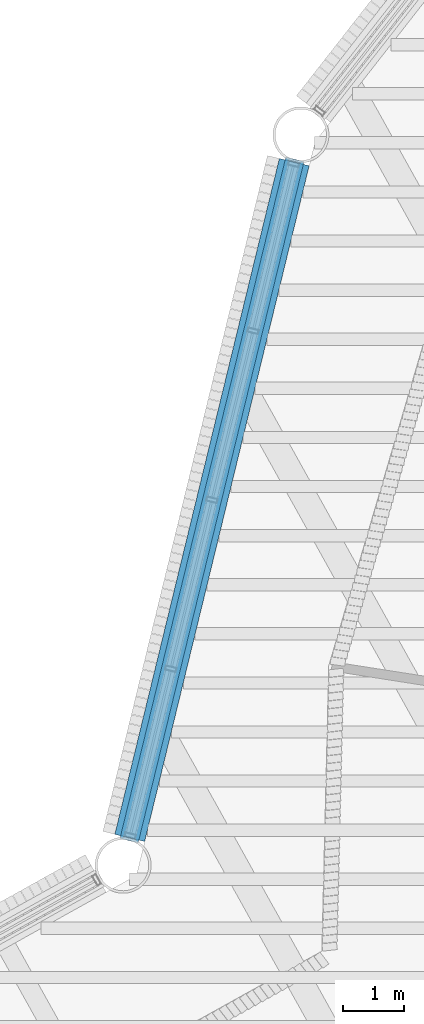
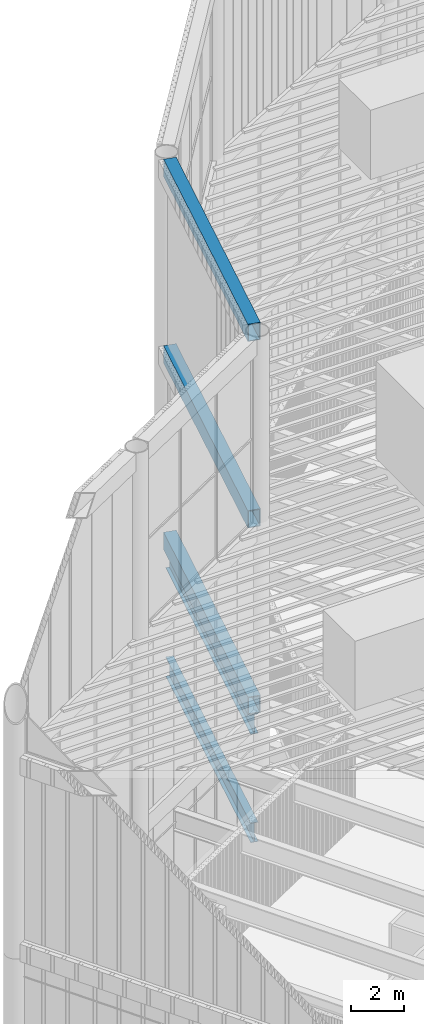
# One storey, part 40 of 117: 5 beams.
"""IFC4 building model written with IfcOpenShell, lengths in metres."""

from ifc_helpers import new_model, si_unit, direction, frame, origin, origin_2d, place, context, subcontext, project, spatial, hollow_rectangle, i_section, extrude, material, material_profile, profile_set, type_object, element, save


model = new_model("IFC4")

# Units and contexts
model_context = context("Model", 3, precision=1e-05, world=origin(), true_north=direction((0.0, 1.0)))
body_context = subcontext(model_context, "Body", "Model", "MODEL_VIEW")
ifc_project = project(units=[si_unit("LENGTHUNIT", "METRE"), si_unit("AREAUNIT", "SQUARE_METRE"), si_unit("VOLUMEUNIT", "CUBIC_METRE"), si_unit("PLANEANGLEUNIT", "RADIAN"), si_unit("MASSUNIT", "GRAM", prefix="KILO")], contexts=[model_context])

# Site, building, storey
site_placement = place(None, origin())
site = spatial("IfcSite", under=ifc_project, at=site_placement, CompositionType="ELEMENT")
building_placement = place(site_placement, origin())
building = spatial("IfcBuilding", under=site, at=building_placement, Name="Tarsis Ring Headquarters", CompositionType="ELEMENT")
storey_placement = place(building_placement, frame((0.0, 0.0, 403.60009765625)))
storey = spatial("IfcBuildingStorey", under=building, at=storey_placement, Name="L95", CompositionType="ELEMENT", Elevation=403.60009765625)

# Beams
ifc_material = material(Name="Structural steel S355", Category="steel")
ifc_material_profile_1 = material_profile(ifc_material, hollow_rectangle(XDim=0.5, YDim=0.800048828125, WallThickness=0.030029296875, at=origin_2d()), Name="RHS 800x500x30")
ifc_profile_set_1 = profile_set([ifc_material_profile_1], Name="Structural steel S355")
beam_type_1 = type_object("IfcBeamType", Name="Crown frame ring beam RHS 800x500x30", PredefinedType="BEAM", material=ifc_profile_set_1)
for number, where, z_axis, x_axis, name in (
    (1, (-26.24951171875, 12.22265625, 5.39990234375), (-0.236520308045, -0.97162654548, 0.0), (0.97162654548, -0.236520308045, 0.0), "Crown frame ring beam R13"),
    (2, (-26.24951171875, 12.22265625, 14.0), (-0.236520308045, -0.97162654548, 0.0), (0.97162654548, -0.236520308045, 0.0), "Crown frame ring beam M13"),
    (3, (-26.24951171875, 12.22265625, 22.599853515625), (-0.236520308045, -0.97162654548, 0.0), (0.97162654548, -0.236520308045, 0.0), "Crown frame ring beam T13"),
):
    element("IfcBeam", number, at=place(storey_placement, frame(where, z_axis=z_axis, x_axis=x_axis)), inside=storey, type_object=beam_type_1, Name=name, PredefinedType="BEAM", context=body_context, shape_type="SweptSolid", body=[
        extrude(hollow_rectangle(XDim=0.5, YDim=0.800048828125, WallThickness=0.030029296875, at=origin_2d()), origin(), (0.0, 0.0, 1.0), 11.334716796875),
    ])
ifc_material_profile_2 = material_profile(ifc_material, i_section(OverallWidth=0.3046875, OverallDepth=0.904296875, WebThickness=0.01513671875, FlangeThickness=0.02001953125, at=origin_2d()), Name="W36x135")
ifc_profile_set_2 = profile_set([ifc_material_profile_2], Name="Structural steel S355")
beam_type_2 = type_object("IfcBeamType", Name="XG Ring girder W36x135", PredefinedType="BEAM", material=ifc_profile_set_2)
for number, where, z_axis, x_axis, name in (
    (4, (-26.238525390625, 12.26708984375, -0.4521484375), (-0.23653313592, -0.971623422737, 0.0), (0.971623422737, -0.23653313592, 0.0), "Ring girder XG5"),
    (5, (-26.238525390625, 12.26708984375, 4.5478515625), (-0.23653313592, -0.971623422737, 0.0), (0.971623422737, -0.23653313592, 0.0), "Ring girder XG5"),
):
    element("IfcBeam", number, at=place(storey_placement, frame(where, z_axis=z_axis, x_axis=x_axis)), inside=storey, type_object=beam_type_2, Name=name, PredefinedType="BEAM", context=body_context, shape_type="SweptSolid", body=[
        extrude(i_section(OverallWidth=0.3046875, OverallDepth=0.904296875, WebThickness=0.01513671875, FlangeThickness=0.02001953125, at=origin_2d()), origin(), (0.0, 0.0, 1.0), 11.426025390625),
    ])

save(model, "model.ifc")
